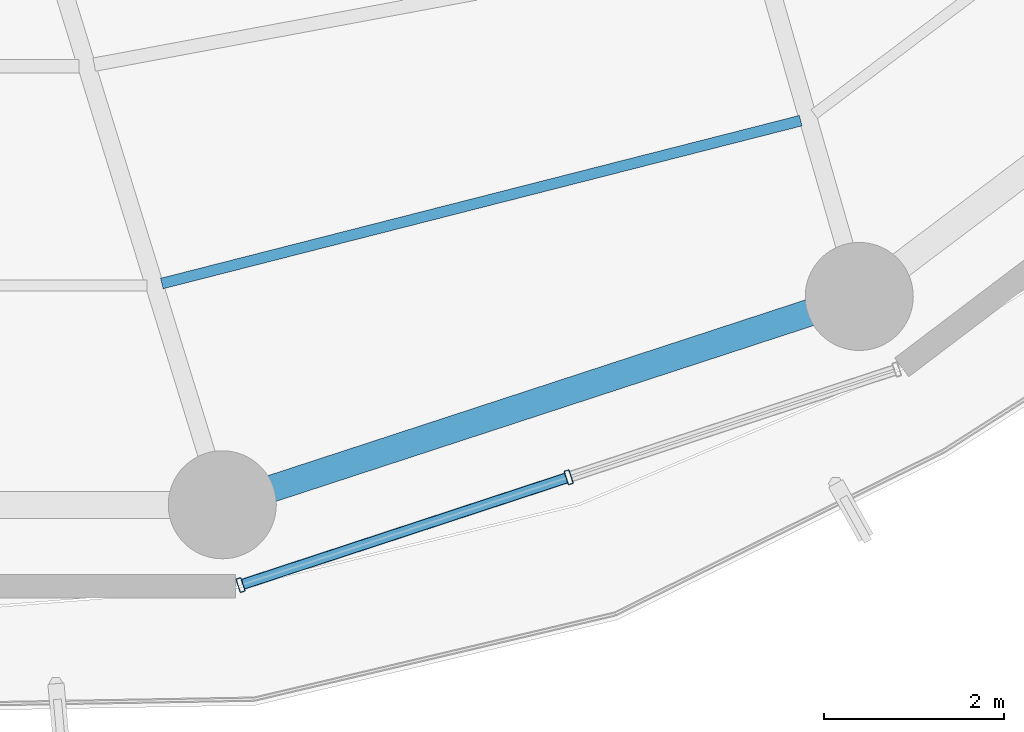
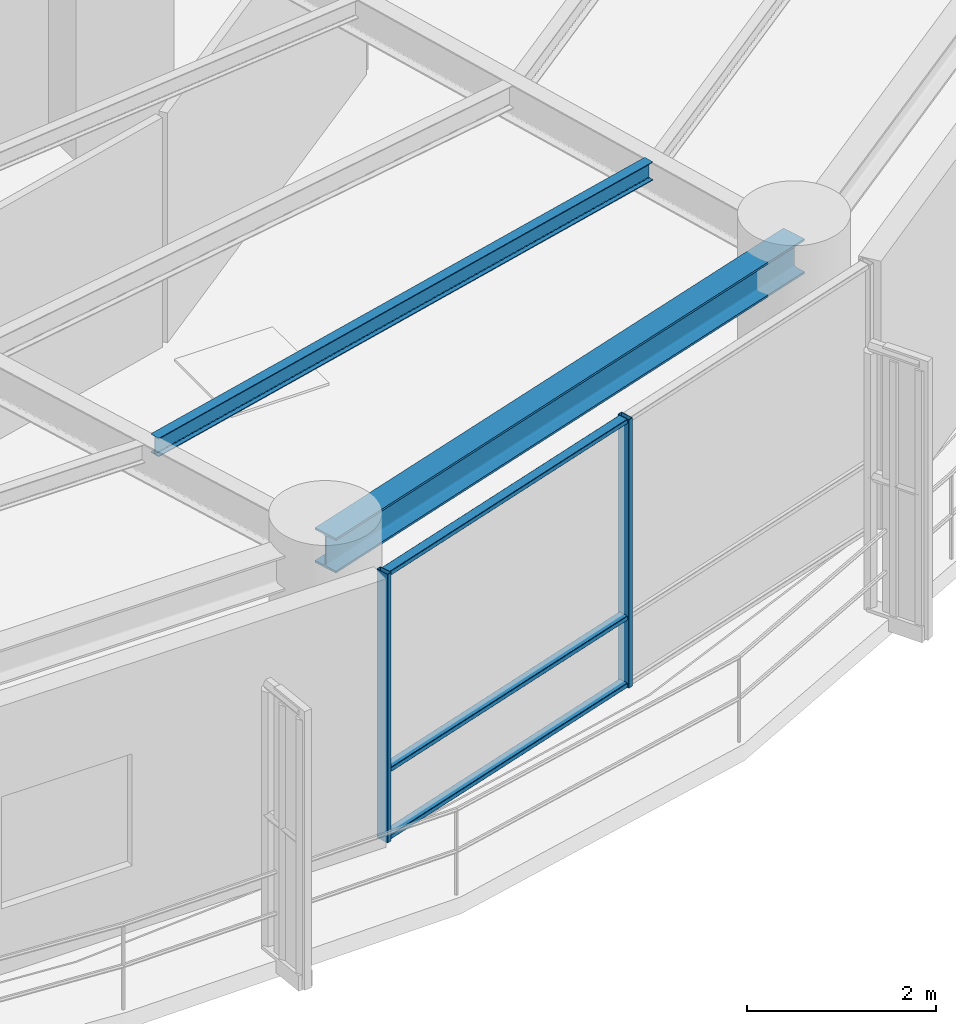
# One storey, part 4 of 27: 5 members, 2 beams, 1 element without a shape of its own.
"""IFC4 building model written with IfcOpenShell, lengths in metres."""

from ifc_helpers import new_model, si_unit, direction, frame, origin, origin_2d, place, context, subcontext, project, spatial, hollow_rectangle, i_section, extrude, material, layer, layer_set, material_profile, profile_set, type_object, element, aggregate, save


model = new_model("IFC4")

# Units and contexts
model_context = context("Model", 3, precision=1e-05, world=origin(), true_north=direction((0.0, 1.0)))
body_context = subcontext(model_context, "Body", "Model", "MODEL_VIEW")
ifc_project = project(units=[si_unit("LENGTHUNIT", "METRE"), si_unit("AREAUNIT", "SQUARE_METRE"), si_unit("VOLUMEUNIT", "CUBIC_METRE"), si_unit("PLANEANGLEUNIT", "RADIAN"), si_unit("MASSUNIT", "GRAM", prefix="KILO")], contexts=[model_context])

# Site, building, storey
site_placement = place(None, origin())
site = spatial("IfcSite", under=ifc_project, at=site_placement, CompositionType="ELEMENT")
building_placement = place(site_placement, origin())
building = spatial("IfcBuilding", under=site, at=building_placement, Name="Kelanora Arch Commons", CompositionType="ELEMENT")
storey_placement = place(building_placement, frame((0.0, 0.0, 146.85009765625)))
storey = spatial("IfcBuildingStorey", under=building, at=storey_placement, Name="L37", CompositionType="ELEMENT", Elevation=146.85009765625)

# Beams
ifc_material_1 = material(Name="Steel S355", Category="steel")
ifc_material_profile_1 = material_profile(ifc_material_1, i_section(OverallWidth=0.1201171875, OverallDepth=0.239990234375, WebThickness=0.006103515625, FlangeThickness=0.009765625, FilletRadius=0.014892578125, at=origin_2d()), Name="IPE240")
ifc_profile_set_1 = profile_set([ifc_material_profile_1], Name="Steel S355")
beam_type_1 = type_object("IfcBeamType", Name="BM-JST-02", PredefinedType="JOIST", material=ifc_profile_set_1)
beam_1_placement = place(storey_placement, frame((77.093994140625, 41.273681640625, 3.369873046875), z_axis=(0.96900232943, 0.247051584815, 0.0), x_axis=(-0.247051584815, 0.96900232943, 0.0)))
element("IfcBeam", 1, at=beam_1_placement, inside=storey, type_object=beam_type_1, Name="Secondary Chord Joist BJC-28 L37", PredefinedType="JOIST", context=body_context, shape_type="SweptSolid", body=[
    extrude(i_section(OverallWidth=0.1201171875, OverallDepth=0.239990234375, WebThickness=0.006103515625, FlangeThickness=0.009765625, FilletRadius=0.014892578125, at=origin_2d()), origin(), (0.0, 0.0, 1.0), 7.32275390625),
])
ifc_material_profile_2 = material_profile(ifc_material_1, i_section(OverallWidth=0.300048828125, OverallDepth=0.449951171875, WebThickness=0.013916015625, FlangeThickness=0.02587890625, FilletRadius=0.027099609375, at=origin_2d()), Name="HEB450")
ifc_profile_set_2 = profile_set([ifc_material_profile_2], Name="Steel S355")
beam_type_2 = type_object("IfcBeamType", Name="BM-SPN-Z3", PredefinedType="SPANDREL", material=ifc_profile_set_2)
beam_2_placement = place(storey_placement, frame((77.7646484375, 38.81591796875, 3.264892578125), z_axis=(0.950461975786, 0.310840847676, 0.0), x_axis=(-0.310840847676, 0.950461975786, 0.0)))
element("IfcBeam", 2, at=beam_2_placement, inside=storey, type_object=beam_type_2, Name="Perimeter Spandrel Beam BS-28 L37", PredefinedType="SPANDREL", context=body_context, shape_type="SweptSolid", body=[
    extrude(i_section(OverallWidth=0.300048828125, OverallDepth=0.449951171875, WebThickness=0.013916015625, FlangeThickness=0.02587890625, FilletRadius=0.027099609375, at=origin_2d()), origin(), (0.0, 0.0, 1.0), 7.444091796875),
])

# Curtain wall, members
ifc_material_2 = material(Name="Terracotta ceramic-fritted low-E glass and aluminium", Category="masonry")
ifc_layer = layer(ifc_material_2, 0.175048828125)
ifc_layer_set = layer_set([ifc_layer], Name="Terracotta ceramic-fritted low-E glass and aluminium")
curtain_wall_type = type_object("IfcCurtainWallType", Name="CW-SYS-02", PredefinedType="NOTDEFINED", material=ifc_layer_set)
curtain_wall_placement = place(storey_placement, origin())
curtain_wall = element("IfcCurtainWall", 3, at=curtain_wall_placement, inside=storey, type_object=curtain_wall_type, Name="Unitised Curtain Wall L37-B14", PredefinedType="NOTDEFINED")
ifc_material_3 = material(Name="Powder-coated aluminium terracotta", Category="masonry")
ifc_material_profile_3 = material_profile(ifc_material_3, hollow_rectangle(XDim=0.159912109375, YDim=0.06005859375, WallThickness=0.0048828125, InnerFilletRadius=0.0048828125, OuterFilletRadius=0.010009765625, at=origin_2d()), Name="CWM160x60")
ifc_profile_set_3 = profile_set([ifc_material_profile_3], Name="Powder-coated aluminium terracotta")
member_type_1 = type_object("IfcMemberType", Name="CWM-STD", PredefinedType="MULLION", material=ifc_profile_set_3)
member_1_placement = place(storey_placement, frame((77.96728515625, 37.924072265625, 0.0), z_axis=(0.0, 0.0, 1.0), x_axis=(-0.312128279571, 0.95003996605, 0.0)))
member_1 = element("IfcMember", 4, at=member_1_placement, type_object=member_type_1, Name="CW-02 mullion 1", PredefinedType="MULLION", context=body_context, shape_type="SweptSolid", body=[
    extrude(hollow_rectangle(XDim=0.159912109375, YDim=0.06005859375, WallThickness=0.0048828125, InnerFilletRadius=0.0048828125, OuterFilletRadius=0.010009765625, at=origin_2d()), origin(), (0.0, 0.0, 1.0), 3.474853515625),
])
member_2_placement = place(storey_placement, frame((81.6123046875, 39.12158203125, 0.0), z_axis=(0.0, 0.0, 1.0), x_axis=(-0.312128279571, 0.95003996605, 0.0)))
member_2 = element("IfcMember", 5, at=member_2_placement, type_object=member_type_1, Name="CW-02 mullion 2", PredefinedType="MULLION", context=body_context, shape_type="SweptSolid", body=[
    extrude(hollow_rectangle(XDim=0.159912109375, YDim=0.06005859375, WallThickness=0.0048828125, InnerFilletRadius=0.0048828125, OuterFilletRadius=0.010009765625, at=origin_2d()), origin(), (0.0, 0.0, 1.0), 3.474853515625),
])
ifc_material_profile_4 = material_profile(ifc_material_3, hollow_rectangle(XDim=0.1201171875, YDim=0.06005859375, WallThickness=0.0048828125, InnerFilletRadius=0.0048828125, OuterFilletRadius=0.010009765625, at=origin_2d()), Name="CWT120x60")
ifc_profile_set_4 = profile_set([ifc_material_profile_4], Name="Powder-coated aluminium terracotta")
member_type_2 = type_object("IfcMemberType", Name="CWT-STD", PredefinedType="USERDEFINED", material=ifc_profile_set_4)
member_3_placement = place(storey_placement, frame((77.99560546875, 37.933349609375, 0.02978515625), z_axis=(0.950051191155, 0.312094111104, 0.0), x_axis=(-0.312094111104, 0.950051191155, 0.0)))
member_3 = element("IfcMember", 6, at=member_3_placement, type_object=member_type_2, Name="CW-02 transom 1.1", ObjectType="TRANSOM", PredefinedType="USERDEFINED", context=body_context, shape_type="SweptSolid", body=[
    extrude(hollow_rectangle(XDim=0.1201171875, YDim=0.06005859375, WallThickness=0.0048828125, InnerFilletRadius=0.0048828125, OuterFilletRadius=0.010009765625, at=origin_2d()), origin(), (0.0, 0.0, 1.0), 3.77685546875),
])
member_4_placement = place(storey_placement, frame((77.99560546875, 37.933349609375, 0.89990234375), z_axis=(0.950051191155, 0.312094111104, 0.0), x_axis=(-0.312094111104, 0.950051191155, 0.0)))
member_4 = element("IfcMember", 7, at=member_4_placement, type_object=member_type_2, Name="CW-02 transom 1.2", ObjectType="TRANSOM", PredefinedType="USERDEFINED", context=body_context, shape_type="SweptSolid", body=[
    extrude(hollow_rectangle(XDim=0.1201171875, YDim=0.06005859375, WallThickness=0.0048828125, InnerFilletRadius=0.0048828125, OuterFilletRadius=0.010009765625, at=origin_2d()), origin(), (0.0, 0.0, 1.0), 3.77685546875),
])
member_5_placement = place(storey_placement, frame((77.99560546875, 37.933349609375, 3.44482421875), z_axis=(0.950051191155, 0.312094111104, 0.0), x_axis=(-0.312094111104, 0.950051191155, 0.0)))
member_5 = element("IfcMember", 8, at=member_5_placement, type_object=member_type_2, Name="CW-02 transom 1.3", ObjectType="TRANSOM", PredefinedType="USERDEFINED", context=body_context, shape_type="SweptSolid", body=[
    extrude(hollow_rectangle(XDim=0.1201171875, YDim=0.06005859375, WallThickness=0.0048828125, InnerFilletRadius=0.0048828125, OuterFilletRadius=0.010009765625, at=origin_2d()), origin(), (0.0, 0.0, 1.0), 3.77685546875),
])
aggregate(curtain_wall, [member_1, member_2, member_3, member_4, member_5])

save(model, "model.ifc")
